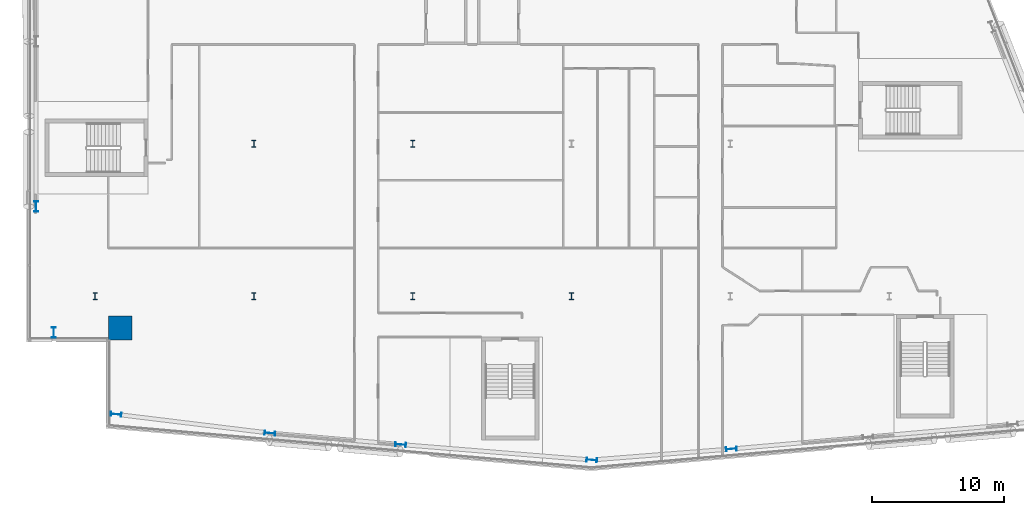
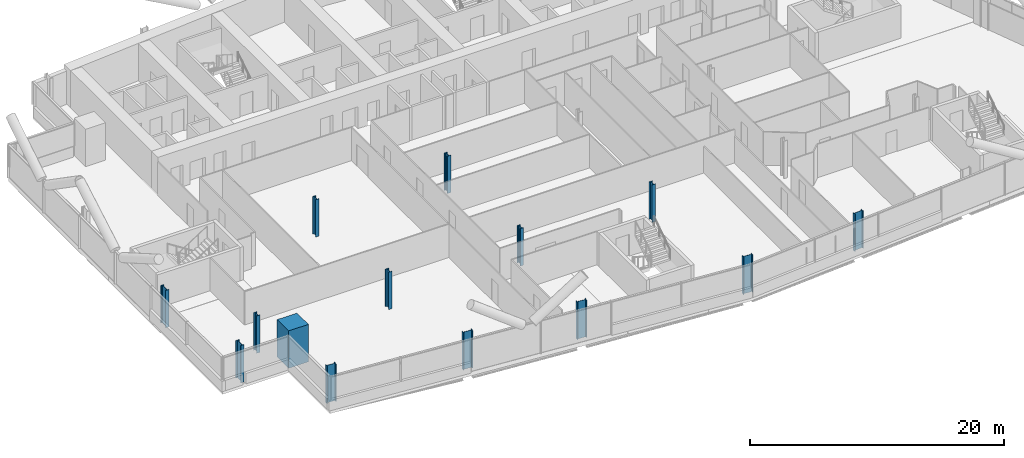
# One storey, part 1 of 27: 14 columns.
"""IFC4 building model written with IfcOpenShell, lengths in metres."""

from ifc_helpers import new_model, si_unit, direction, frame, origin, origin_2d, place, context, subcontext, project, spatial, rectangle, i_section, extrude, material, material_profile, profile_set, type_object, element, save


model = new_model("IFC4")

# Units and contexts
model_context = context("Model", 3, precision=1e-05, world=origin(), true_north=direction((0.0, 1.0)))
body_context = subcontext(model_context, "Body", "Model", "MODEL_VIEW")
ifc_project = project(units=[si_unit("LENGTHUNIT", "METRE"), si_unit("AREAUNIT", "SQUARE_METRE"), si_unit("VOLUMEUNIT", "CUBIC_METRE"), si_unit("PLANEANGLEUNIT", "RADIAN"), si_unit("MASSUNIT", "GRAM", prefix="KILO")], contexts=[model_context])

# Site, building, storey
site_placement = place(None, origin())
site = spatial("IfcSite", under=ifc_project, at=site_placement, CompositionType="ELEMENT")
building_placement = place(site_placement, origin())
building = spatial("IfcBuilding", under=site, at=building_placement, Name="Wharfspan Tower", CompositionType="ELEMENT")
storey_placement = place(building_placement, frame((0.0, 0.0, 111.100098)))
storey = spatial("IfcBuildingStorey", under=building, at=storey_placement, Name="L25", CompositionType="ELEMENT", Elevation=111.100098)

# Columns
ifc_material_1 = material(Name="Steel S355J2", Category="steel")
ifc_material_profile_1 = material_profile(ifc_material_1, i_section(OverallWidth=0.305908, OverallDepth=0.523926, WebThickness=0.020996, FlangeThickness=0.040039, FilletRadius=0.0271, at=origin_2d()))
ifc_profile_set_1 = profile_set([ifc_material_profile_1], Name="Steel S355J2")
column_type_1 = type_object("IfcColumnType", Name="Column HEM 500", PredefinedType="COLUMN", material=ifc_profile_set_1)
for number, where, z_axis, x_axis, name in (
    (1, (12.0, 11.5, 0.0), (0.0, 0.0, 1.0), (1.0, 0.0, 0.0), "Interior column I.1.1 L25"),
    (2, (24.0, 11.5, 0.0), (0.0, 0.0, 1.0), (1.0, 0.0, 0.0), "Interior column I.1.2 L25"),
    (3, (36.0, 11.5, 0.0), (0.0, 0.0, 1.0), (1.0, 0.0, 0.0), "Interior column I.1.3 L25"),
    (4, (48.0, 11.5, 0.0), (0.0, 0.0, 1.0), (1.0, 0.0, 0.0), "Interior column I.1.4 L25"),
    (5, (24.0, 23.0, 0.0), (0.0, 0.0, 1.0), (1.0, 0.0, 0.0), "Interior column I.2.1 L25"),
    (6, (36.0, 23.0, 0.0), (0.0, 0.0, 1.0), (1.0, 0.0, 0.0), "Interior column I.2.2 L25"),
):
    element("IfcColumn", number, at=place(storey_placement, frame(where, z_axis=z_axis, x_axis=x_axis)), inside=storey, type_object=column_type_1, Name=name, PredefinedType="COLUMN", context=body_context, shape_type="SweptSolid", body=[
        extrude(i_section(OverallWidth=0.305908, OverallDepth=0.523926, WebThickness=0.020996, FlangeThickness=0.040039, FilletRadius=0.0271, at=origin_2d()), origin(), (0.0, 0.0, 1.0), 3.599854),
    ])
ifc_material_profile_2 = material_profile(ifc_material_1, i_section(OverallWidth=0.302979, OverallDepth=0.813965, WebThickness=0.020996, FlangeThickness=0.040039, FilletRadius=0.030029, at=origin_2d()))
ifc_profile_set_2 = profile_set([ifc_material_profile_2], Name="Steel S355J2")
column_type_2 = type_object("IfcColumnType", Name="Column HEM 800", PredefinedType="COLUMN", material=ifc_profile_set_2)
for number, where, z_axis, x_axis, name in (
    (7, (13.590576, 2.569336, 0.0), (0.0, 0.0, 1.0), (-0.087156, -0.996198, 0.0), "Perimeter column PS1.1 L25"),
    (8, (25.213623, 1.148682, 0.0), (0.0, 0.0, 1.0), (-0.087156, -0.996198, 0.0), "Perimeter column PS1.2 L25"),
    (9, (35.089111, 0.284668, 0.0), (0.0, 0.0, 1.0), (-0.087156, -0.996198, 0.0), "Perimeter column PS1.3 L25"),
    (10, (49.53125, -0.881592, 0.0), (0.0, 0.0, 1.0), (-0.087156, -0.996198, 0.0), "Perimeter column PS1.4 L25"),
    (11, (60.077881, -0.050781, 0.0), (0.0, 0.0, 1.0), (0.087156, -0.996198, 0.0), "Perimeter column PS2.1 L25"),
    (12, (7.540039, 18.266602, 0.0), (0.0, 0.0, 1.0), (-1.0, 0.0, 0.0), "Perimeter column PW.2 L25"),
    (13, (8.884521, 8.742676, 0.0), (0.0, 0.0, 1.0), (-1.0, 0.0, 0.0), "Perimeter column PW.3 L25"),
):
    element("IfcColumn", number, at=place(storey_placement, frame(where, z_axis=z_axis, x_axis=x_axis)), inside=storey, type_object=column_type_2, Name=name, PredefinedType="COLUMN", context=body_context, shape_type="SweptSolid", body=[
        extrude(i_section(OverallWidth=0.302979, OverallDepth=0.813965, WebThickness=0.020996, FlangeThickness=0.040039, FilletRadius=0.030029, at=origin_2d()), origin(), (0.0, 0.0, 1.0), 3.599854),
    ])
ifc_material_2 = material(Name="Concrete C70/85", Category="concrete")
ifc_material_profile_3 = material_profile(ifc_material_2, rectangle(XDim=1.800049, YDim=1.800049, at=origin_2d()))
ifc_profile_set_3 = profile_set([ifc_material_profile_3], Name="Concrete C70/85")
column_type_3 = type_object("IfcColumnType", Name="Mega column 1800 C70/85", PredefinedType="COLUMN", material=ifc_profile_set_3)
column_placement = place(storey_placement, frame((13.899902, 9.100098, 0.0), z_axis=(0.0, 0.0, 1.0), x_axis=(1.0, 0.0, 0.0)))
element("IfcColumn", 14, at=column_placement, inside=storey, type_object=column_type_3, Name="Mega column MC1 L25", PredefinedType="COLUMN", context=body_context, shape_type="SweptSolid", body=[
    extrude(rectangle(XDim=1.800049, YDim=1.800049, at=origin_2d()), origin(), (0.0, 0.0, 1.0), 3.599854),
])

save(model, "model.ifc")
